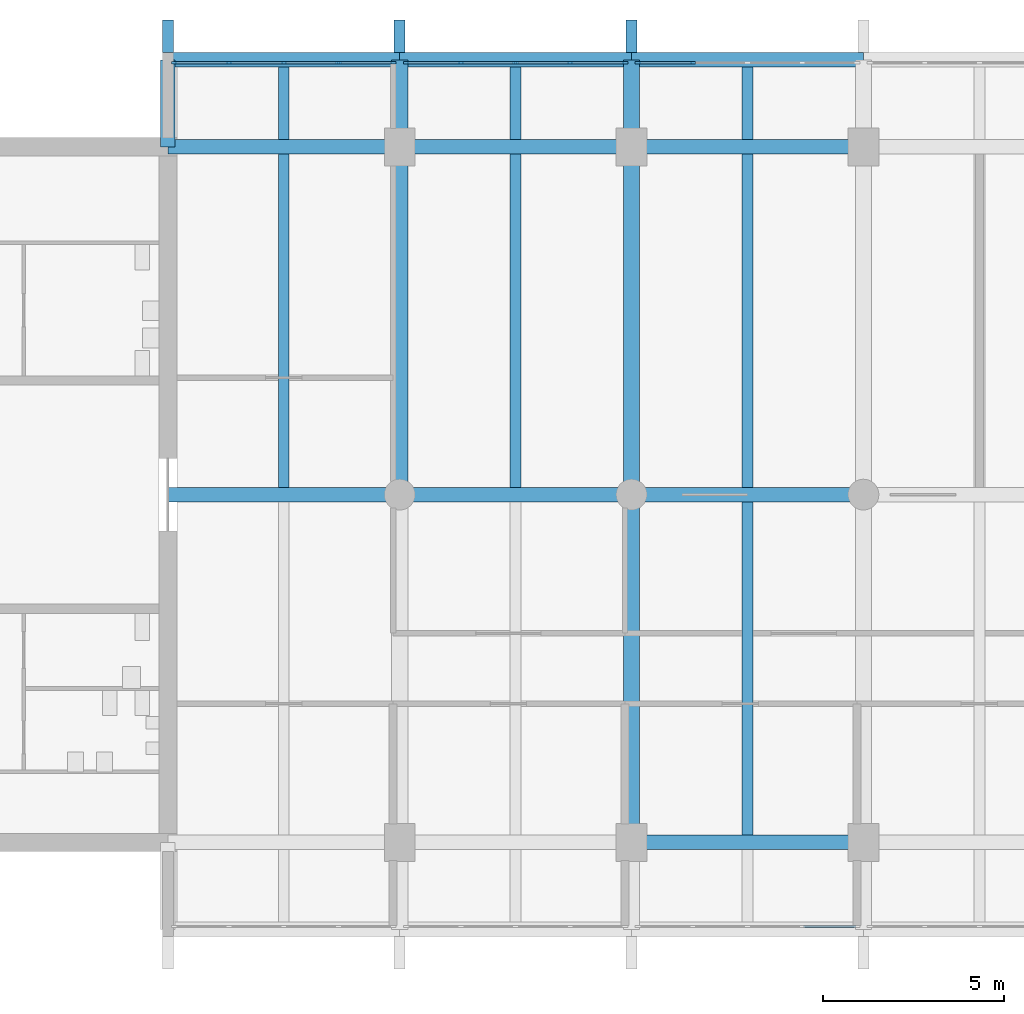
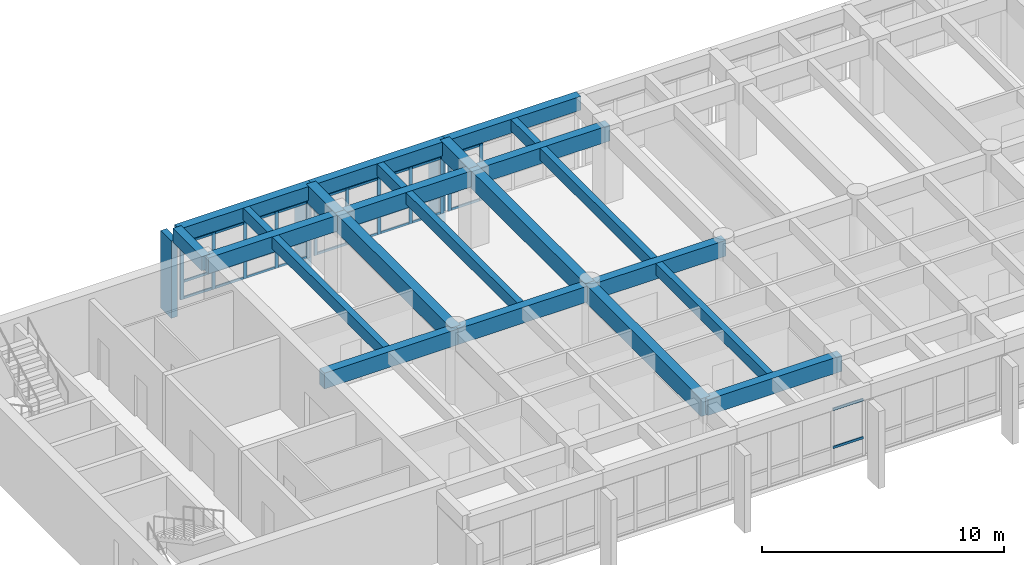
# One storey, part 3 of 15: 44 members, 23 beams, 4 elements without a shape of their own.
"""IFC4 building model written with IfcOpenShell, lengths in metres."""

from ifc_helpers import new_model, si_unit, direction, frame, origin, origin_2d, place, context, subcontext, project, spatial, rectangle, extrude, material, layer, layer_set, material_profile, profile_set, type_object, element, aggregate, save


model = new_model("IFC4")

# Units and contexts
model_context = context("Model", 3, precision=1e-05, world=origin(), true_north=direction((0.0, 1.0)))
body_context = subcontext(model_context, "Body", "Model", "MODEL_VIEW")
ifc_project = project(units=[si_unit("LENGTHUNIT", "METRE"), si_unit("AREAUNIT", "SQUARE_METRE"), si_unit("VOLUMEUNIT", "CUBIC_METRE"), si_unit("PLANEANGLEUNIT", "RADIAN"), si_unit("MASSUNIT", "GRAM", prefix="KILO")], contexts=[model_context])

# Site, building, storey
site_placement = place(None, origin())
site = spatial("IfcSite", under=ifc_project, at=site_placement, CompositionType="ELEMENT")
building_placement = place(site_placement, origin())
building = spatial("IfcBuilding", under=site, at=building_placement, Name="Fogon Plaza Fire Station and Headquarters Tower", CompositionType="ELEMENT")
storey_placement = place(building_placement, frame((0.0, 0.0, 56.10009765625)))
storey = spatial("IfcBuildingStorey", under=building, at=storey_placement, Name="L14", CompositionType="ELEMENT", Elevation=56.10009765625)

# Beams
ifc_material_1 = material(Name="Concrete C40", Category="concrete")
ifc_material_profile_1 = material_profile(ifc_material_1, rectangle(XDim=0.39990234375, YDim=0.699951171875, at=origin_2d()), Name="RC 400x700")
ifc_profile_set_1 = profile_set([ifc_material_profile_1], Name="Concrete C40")
beam_type_1 = type_object("IfcBeamType", Name="BEAM RC 400x700", PredefinedType="BEAM", material=ifc_profile_set_1)
for number, where, z_axis, x_axis, name in (
    (1, (25.60009765625, 55.199951171875, 3.329833984375), (1.0, 0.0, 0.0), (0.0, 1.0, 0.0), "beam-L14-045"),
    (2, (32.0, 55.199951171875, 3.329833984375), (1.0, 0.0, 0.0), (0.0, 1.0, 0.0), "beam-L14-046"),
):
    element("IfcBeam", number, at=place(storey_placement, frame(where, z_axis=z_axis, x_axis=x_axis)), inside=storey, type_object=beam_type_1, Name=name, PredefinedType="BEAM", context=body_context, shape_type="SweptSolid", body=[
        extrude(rectangle(XDim=0.39990234375, YDim=0.699951171875, at=origin_2d()), origin(), (0.0, 0.0, 1.0), 6.39990234375),
    ])
beam_1_placement = place(storey_placement, frame((38.39990234375, 55.199951171875, 3.329833984375), z_axis=(1.0, 0.0, 0.0), x_axis=(0.0, 1.0, 0.0)))
element("IfcBeam", 3, at=beam_1_placement, inside=storey, type_object=beam_type_1, Name="beam-L14-047", PredefinedType="BEAM", context=body_context, shape_type="SweptSolid", body=[
    extrude(rectangle(XDim=0.39990234375, YDim=0.699951171875, at=origin_2d()), origin(), (0.0, 0.0, 1.0), 6.400146484375),
])
ifc_material_2 = material(Name="Concrete C40", Category="concrete")
ifc_material_profile_2 = material_profile(ifc_material_2, rectangle(XDim=0.39990234375, YDim=0.699951171875, at=origin_2d()), Name="RC 400x700")
ifc_profile_set_2 = profile_set([ifc_material_profile_2], Name="Concrete C40")
beam_type_2 = type_object("IfcBeamType", Name="BEAM RC 400x700 SPAN 0.0 TO 3.0 M", PredefinedType="BEAM", material=ifc_profile_set_2)
beam_2_placement = place(storey_placement, frame((25.60009765625, 52.800048828125, 3.329833984375), z_axis=(0.0, 1.0, 0.0), x_axis=(-1.0, 0.0, 0.0)))
element("IfcBeam", 4, at=beam_2_placement, inside=storey, type_object=beam_type_2, Name="beam-L14-052", PredefinedType="BEAM", context=body_context, shape_type="SweptSolid", body=[
    extrude(rectangle(XDim=0.39990234375, YDim=0.699951171875, at=origin_2d()), origin(), (0.0, 0.0, 1.0), 2.39990234375),
])
ifc_material_3 = material(Name="Concrete C40", Category="concrete")
ifc_material_profile_3 = material_profile(ifc_material_3, rectangle(XDim=0.39990234375, YDim=0.800048828125, at=origin_2d()), Name="RC 400x800")
ifc_profile_set_3 = profile_set([ifc_material_profile_3], Name="Concrete C40")
beam_type_3 = type_object("IfcBeamType", Name="BEAM RC 400x800", PredefinedType="BEAM", material=ifc_profile_set_3)
beam_3_placement = place(storey_placement, frame((38.39990234375, 33.60009765625, 3.27978515625), z_axis=(1.0, 0.0, 0.0), x_axis=(0.0, 1.0, 0.0)))
element("IfcBeam", 5, at=beam_3_placement, inside=storey, type_object=beam_type_3, Name="beam-L14-023", PredefinedType="BEAM", context=body_context, shape_type="SweptSolid", body=[
    extrude(rectangle(XDim=0.39990234375, YDim=0.800048828125, at=origin_2d()), origin(), (0.0, 0.0, 1.0), 6.400146484375),
])
for number, where, z_axis, x_axis, name in (
    (6, (25.60009765625, 43.199951171875, 3.27978515625), (1.0, 0.0, 0.0), (0.0, 1.0, 0.0), "beam-L14-027"),
    (7, (32.0, 43.199951171875, 3.27978515625), (1.0, 0.0, 0.0), (0.0, 1.0, 0.0), "beam-L14-028"),
):
    element("IfcBeam", number, at=place(storey_placement, frame(where, z_axis=z_axis, x_axis=x_axis)), inside=storey, type_object=beam_type_3, Name=name, PredefinedType="BEAM", context=body_context, shape_type="SweptSolid", body=[
        extrude(rectangle(XDim=0.39990234375, YDim=0.800048828125, at=origin_2d()), origin(), (0.0, 0.0, 1.0), 6.39990234375),
    ])
beam_4_placement = place(storey_placement, frame((38.39990234375, 43.199951171875, 3.27978515625), z_axis=(1.0, 0.0, 0.0), x_axis=(0.0, 1.0, 0.0)))
element("IfcBeam", 8, at=beam_4_placement, inside=storey, type_object=beam_type_3, Name="beam-L14-029", PredefinedType="BEAM", context=body_context, shape_type="SweptSolid", body=[
    extrude(rectangle(XDim=0.39990234375, YDim=0.800048828125, at=origin_2d()), origin(), (0.0, 0.0, 1.0), 6.400146484375),
])
for number, where, z_axis, x_axis, name in (
    (9, (25.60009765625, 52.800048828125, 3.27978515625), (1.0, 0.0, 0.0), (0.0, 1.0, 0.0), "beam-L14-033"),
    (10, (32.0, 52.800048828125, 3.27978515625), (1.0, 0.0, 0.0), (0.0, 1.0, 0.0), "beam-L14-034"),
):
    element("IfcBeam", number, at=place(storey_placement, frame(where, z_axis=z_axis, x_axis=x_axis)), inside=storey, type_object=beam_type_3, Name=name, PredefinedType="BEAM", context=body_context, shape_type="SweptSolid", body=[
        extrude(rectangle(XDim=0.39990234375, YDim=0.800048828125, at=origin_2d()), origin(), (0.0, 0.0, 1.0), 6.39990234375),
    ])
beam_5_placement = place(storey_placement, frame((38.39990234375, 52.800048828125, 3.27978515625), z_axis=(1.0, 0.0, 0.0), x_axis=(0.0, 1.0, 0.0)))
element("IfcBeam", 11, at=beam_5_placement, inside=storey, type_object=beam_type_3, Name="beam-L14-035", PredefinedType="BEAM", context=body_context, shape_type="SweptSolid", body=[
    extrude(rectangle(XDim=0.39990234375, YDim=0.800048828125, at=origin_2d()), origin(), (0.0, 0.0, 1.0), 6.400146484375),
])
ifc_material_4 = material(Name="Concrete C40", Category="concrete")
ifc_material_profile_4 = material_profile(ifc_material_4, rectangle(XDim=0.449951171875, YDim=0.89990234375, at=origin_2d()), Name="RC 450x900")
ifc_profile_set_4 = profile_set([ifc_material_profile_4], Name="Concrete C40")
beam_type_4 = type_object("IfcBeamType", Name="BEAM RC 450x900", PredefinedType="BEAM", material=ifc_profile_set_4)
beam_6_placement = place(storey_placement, frame((32.0, 43.199951171875, 3.22998046875), z_axis=(0.0, 1.0, 0.0), x_axis=(-1.0, 0.0, 0.0)))
element("IfcBeam", 12, at=beam_6_placement, inside=storey, type_object=beam_type_4, Name="beam-L14-003", PredefinedType="BEAM", context=body_context, shape_type="SweptSolid", body=[
    extrude(rectangle(XDim=0.449951171875, YDim=0.89990234375, at=origin_2d()), origin(), (0.0, 0.0, 1.0), 9.60009765625),
])
beam_7_placement = place(storey_placement, frame((38.39990234375, 33.60009765625, 3.22998046875), z_axis=(0.0, 1.0, 0.0), x_axis=(-1.0, 0.0, 0.0)))
element("IfcBeam", 13, at=beam_7_placement, inside=storey, type_object=beam_type_4, Name="beam-L14-006", PredefinedType="BEAM", context=body_context, shape_type="SweptSolid", body=[
    extrude(rectangle(XDim=0.449951171875, YDim=0.89990234375, at=origin_2d()), origin(), (0.0, 0.0, 1.0), 9.599853515625),
])
beam_8_placement = place(storey_placement, frame((38.39990234375, 43.199951171875, 3.22998046875), z_axis=(0.0, 1.0, 0.0), x_axis=(-1.0, 0.0, 0.0)))
element("IfcBeam", 14, at=beam_8_placement, inside=storey, type_object=beam_type_4, Name="beam-L14-007", PredefinedType="BEAM", context=body_context, shape_type="SweptSolid", body=[
    extrude(rectangle(XDim=0.449951171875, YDim=0.89990234375, at=origin_2d()), origin(), (0.0, 0.0, 1.0), 9.60009765625),
])
ifc_material_5 = material(Name="Concrete C40", Category="concrete")
ifc_material_profile_5 = material_profile(ifc_material_5, rectangle(XDim=0.449951171875, YDim=0.89990234375, at=origin_2d()), Name="RC 450x900")
ifc_profile_set_5 = profile_set([ifc_material_profile_5], Name="Concrete C40")
beam_type_5 = type_object("IfcBeamType", Name="BEAM RC 450x900 SPAN 0.0 TO 3.0 M", PredefinedType="BEAM", material=ifc_profile_set_5)
for number, where, z_axis, x_axis, name in (
    (15, (32.0, 52.800048828125, 3.22998046875), (0.0, 1.0, 0.0), (-1.0, 0.0, 0.0), "beam-L14-004"),
    (16, (38.39990234375, 52.800048828125, 3.22998046875), (0.0, 1.0, 0.0), (-1.0, 0.0, 0.0), "beam-L14-008"),
):
    element("IfcBeam", number, at=place(storey_placement, frame(where, z_axis=z_axis, x_axis=x_axis)), inside=storey, type_object=beam_type_5, Name=name, PredefinedType="BEAM", context=body_context, shape_type="SweptSolid", body=[
        extrude(rectangle(XDim=0.449951171875, YDim=0.89990234375, at=origin_2d()), origin(), (0.0, 0.0, 1.0), 2.39990234375),
    ])

# Curtain wall, members
ifc_material_6 = material(Name="Aluminium and glass", Category="aluminium")
ifc_layer = layer(ifc_material_6, 0.14990234375)
ifc_layer_set = layer_set([ifc_layer], Name="Aluminium and glass")
curtain_wall_type = type_object("IfcCurtainWallType", Name="Unitised Curtain Wall Run 6100x2880", PredefinedType="NOTDEFINED", material=ifc_layer_set)
curtain_wall_1_placement = place(storey_placement, origin())
curtain_wall_1 = element("IfcCurtainWall", 17, at=curtain_wall_1_placement, inside=storey, type_object=curtain_wall_type, Name="CW-6100x2880 N1 L14", PredefinedType="NOTDEFINED")
ifc_material_7 = material(Name="Aluminium", Category="aluminium")
ifc_material_profile_6 = material_profile(ifc_material_7, rectangle(XDim=0.06005859375, YDim=0.159912109375, at=origin_2d()), Name="Curtain Wall Mullion 60x160")
ifc_profile_set_6 = profile_set([ifc_material_profile_6], Name="Aluminium")
member_type_1 = type_object("IfcMemberType", Name="Curtain Wall Mullion 60x160", PredefinedType="MULLION", material=ifc_profile_set_6)
member_1_placement = place(storey_placement, frame((25.780029296875, 55.1201171875, 0.0), z_axis=(0.0, 0.0, 1.0), x_axis=(0.0, 1.0, 0.0)))
member_1 = element("IfcMember", 18, at=member_1_placement, type_object=member_type_1, Name="CW-6100x2880 mullion 1", PredefinedType="MULLION", context=body_context, shape_type="SweptSolid", body=[
    extrude(rectangle(XDim=0.06005859375, YDim=0.159912109375, at=origin_2d()), origin(), (0.0, 0.0, 1.0), 2.8798828125),
])
member_2_placement = place(storey_placement, frame((27.2900390625, 55.1201171875, 0.0), z_axis=(0.0, 0.0, 1.0), x_axis=(0.0, 1.0, 0.0)))
member_2 = element("IfcMember", 19, at=member_2_placement, type_object=member_type_1, Name="CW-6100x2880 mullion 2", PredefinedType="MULLION", context=body_context, shape_type="SweptSolid", body=[
    extrude(rectangle(XDim=0.06005859375, YDim=0.159912109375, at=origin_2d()), origin(), (0.0, 0.0, 1.0), 2.8798828125),
])
member_3_placement = place(storey_placement, frame((28.800048828125, 55.1201171875, 0.0), z_axis=(0.0, 0.0, 1.0), x_axis=(0.0, 1.0, 0.0)))
member_3 = element("IfcMember", 20, at=member_3_placement, type_object=member_type_1, Name="CW-6100x2880 mullion 3", PredefinedType="MULLION", context=body_context, shape_type="SweptSolid", body=[
    extrude(rectangle(XDim=0.06005859375, YDim=0.159912109375, at=origin_2d()), origin(), (0.0, 0.0, 1.0), 2.8798828125),
])
member_4_placement = place(storey_placement, frame((30.31005859375, 55.1201171875, 0.0), z_axis=(0.0, 0.0, 1.0), x_axis=(0.0, 1.0, 0.0)))
member_4 = element("IfcMember", 21, at=member_4_placement, type_object=member_type_1, Name="CW-6100x2880 mullion 4", PredefinedType="MULLION", context=body_context, shape_type="SweptSolid", body=[
    extrude(rectangle(XDim=0.06005859375, YDim=0.159912109375, at=origin_2d()), origin(), (0.0, 0.0, 1.0), 2.8798828125),
])
member_5_placement = place(storey_placement, frame((31.820068359375, 55.1201171875, 0.0), z_axis=(0.0, 0.0, 1.0), x_axis=(0.0, 1.0, 0.0)))
member_5 = element("IfcMember", 22, at=member_5_placement, type_object=member_type_1, Name="CW-6100x2880 mullion 5", PredefinedType="MULLION", context=body_context, shape_type="SweptSolid", body=[
    extrude(rectangle(XDim=0.06005859375, YDim=0.159912109375, at=origin_2d()), origin(), (0.0, 0.0, 1.0), 2.8798828125),
])

curtain_wall_2_placement = place(storey_placement, origin())
curtain_wall_2 = element("IfcCurtainWall", 23, at=curtain_wall_2_placement, inside=storey, type_object=curtain_wall_type, Name="CW-6100x2880 N2 L14", PredefinedType="NOTDEFINED")
member_6_placement = place(storey_placement, frame((32.179931640625, 55.1201171875, 0.0), z_axis=(0.0, 0.0, 1.0), x_axis=(0.0, 1.0, 0.0)))
member_6 = element("IfcMember", 24, at=member_6_placement, type_object=member_type_1, Name="CW-6100x2880 mullion 1", PredefinedType="MULLION", context=body_context, shape_type="SweptSolid", body=[
    extrude(rectangle(XDim=0.06005859375, YDim=0.159912109375, at=origin_2d()), origin(), (0.0, 0.0, 1.0), 2.8798828125),
])
member_7_placement = place(storey_placement, frame((33.68994140625, 55.1201171875, 0.0), z_axis=(0.0, 0.0, 1.0), x_axis=(0.0, 1.0, 0.0)))
member_7 = element("IfcMember", 25, at=member_7_placement, type_object=member_type_1, Name="CW-6100x2880 mullion 2", PredefinedType="MULLION", context=body_context, shape_type="SweptSolid", body=[
    extrude(rectangle(XDim=0.06005859375, YDim=0.159912109375, at=origin_2d()), origin(), (0.0, 0.0, 1.0), 2.8798828125),
])
member_8_placement = place(storey_placement, frame((35.199951171875, 55.1201171875, 0.0), z_axis=(0.0, 0.0, 1.0), x_axis=(0.0, 1.0, 0.0)))
member_8 = element("IfcMember", 26, at=member_8_placement, type_object=member_type_1, Name="CW-6100x2880 mullion 3", PredefinedType="MULLION", context=body_context, shape_type="SweptSolid", body=[
    extrude(rectangle(XDim=0.06005859375, YDim=0.159912109375, at=origin_2d()), origin(), (0.0, 0.0, 1.0), 2.8798828125),
])
member_9_placement = place(storey_placement, frame((36.7099609375, 55.1201171875, 0.0), z_axis=(0.0, 0.0, 1.0), x_axis=(0.0, 1.0, 0.0)))
member_9 = element("IfcMember", 27, at=member_9_placement, type_object=member_type_1, Name="CW-6100x2880 mullion 4", PredefinedType="MULLION", context=body_context, shape_type="SweptSolid", body=[
    extrude(rectangle(XDim=0.06005859375, YDim=0.159912109375, at=origin_2d()), origin(), (0.0, 0.0, 1.0), 2.8798828125),
])
member_10_placement = place(storey_placement, frame((38.219970703125, 55.1201171875, 0.0), z_axis=(0.0, 0.0, 1.0), x_axis=(0.0, 1.0, 0.0)))
member_10 = element("IfcMember", 28, at=member_10_placement, type_object=member_type_1, Name="CW-6100x2880 mullion 5", PredefinedType="MULLION", context=body_context, shape_type="SweptSolid", body=[
    extrude(rectangle(XDim=0.06005859375, YDim=0.159912109375, at=origin_2d()), origin(), (0.0, 0.0, 1.0), 2.8798828125),
])

curtain_wall_3_placement = place(storey_placement, origin())
curtain_wall_3 = element("IfcCurtainWall", 29, at=curtain_wall_3_placement, inside=storey, type_object=curtain_wall_type, Name="CW-6100x2880 N3 L14", PredefinedType="NOTDEFINED")
member_11_placement = place(storey_placement, frame((38.580078125, 55.1201171875, 0.0), z_axis=(0.0, 0.0, 1.0), x_axis=(0.0, 1.0, 0.0)))
member_11 = element("IfcMember", 30, at=member_11_placement, type_object=member_type_1, Name="CW-6100x2880 mullion 1", PredefinedType="MULLION", context=body_context, shape_type="SweptSolid", body=[
    extrude(rectangle(XDim=0.06005859375, YDim=0.159912109375, at=origin_2d()), origin(), (0.0, 0.0, 1.0), 2.8798828125),
])
member_12_placement = place(storey_placement, frame((40.090087890625, 55.1201171875, 0.0), z_axis=(0.0, 0.0, 1.0), x_axis=(0.0, 1.0, 0.0)))
member_12 = element("IfcMember", 31, at=member_12_placement, type_object=member_type_1, Name="CW-6100x2880 mullion 2", PredefinedType="MULLION", context=body_context, shape_type="SweptSolid", body=[
    extrude(rectangle(XDim=0.06005859375, YDim=0.159912109375, at=origin_2d()), origin(), (0.0, 0.0, 1.0), 2.8798828125),
])

curtain_wall_4_placement = place(storey_placement, origin())
curtain_wall_4 = element("IfcCurtainWall", 32, at=curtain_wall_4_placement, inside=storey, type_object=curtain_wall_type, Name="CW-6100x2880 S3 L14", PredefinedType="NOTDEFINED")
ifc_material_8 = material(Name="Aluminium", Category="aluminium")
ifc_material_profile_7 = material_profile(ifc_material_8, rectangle(XDim=0.06005859375, YDim=0.1201171875, at=origin_2d()), Name="Curtain Wall Transom 60x120")
ifc_profile_set_7 = profile_set([ifc_material_profile_7], Name="Aluminium")
member_type_2 = type_object("IfcMemberType", Name="Curtain Wall Transom 60x120", PredefinedType="USERDEFINED", material=ifc_profile_set_7)
member_13_placement = place(storey_placement, frame((43.139892578125, 31.280029296875, 0.89990234375), z_axis=(1.0, 0.0, 0.0), x_axis=(0.0, 1.0, 0.0)))
member_13 = element("IfcMember", 33, at=member_13_placement, type_object=member_type_2, Name="CW-6100x2880 transom 4.2", ObjectType="TRANSOM", PredefinedType="USERDEFINED", context=body_context, shape_type="SweptSolid", body=[
    extrude(rectangle(XDim=0.06005859375, YDim=0.1201171875, at=origin_2d()), origin(), (0.0, 0.0, 1.0), 1.4501953125),
])
member_14_placement = place(storey_placement, frame((43.139892578125, 31.280029296875, 2.81982421875), z_axis=(1.0, 0.0, 0.0), x_axis=(0.0, 1.0, 0.0)))
member_14 = element("IfcMember", 34, at=member_14_placement, type_object=member_type_2, Name="CW-6100x2880 transom 4.3", ObjectType="TRANSOM", PredefinedType="USERDEFINED", context=body_context, shape_type="SweptSolid", body=[
    extrude(rectangle(XDim=0.06005859375, YDim=0.1201171875, at=origin_2d()), origin(), (0.0, 0.0, 1.0), 1.4501953125),
])
aggregate(curtain_wall_4, [member_13, member_14])

# Member
member_15_placement = place(storey_placement, frame((25.81005859375, 55.1201171875, 0.059814453125), z_axis=(1.0, 0.0, 0.0), x_axis=(0.0, 1.0, 0.0)))
member_15 = element("IfcMember", 35, at=member_15_placement, type_object=member_type_2, Name="CW-6100x2880 transom 1.1", ObjectType="TRANSOM", PredefinedType="USERDEFINED", context=body_context, shape_type="SweptSolid", body=[
    extrude(rectangle(XDim=0.06005859375, YDim=0.1201171875, at=origin_2d()), origin(), (0.0, 0.0, 1.0), 1.449951171875),
])

member_16_placement = place(storey_placement, frame((25.81005859375, 55.1201171875, 0.89990234375), z_axis=(1.0, 0.0, 0.0), x_axis=(0.0, 1.0, 0.0)))
member_16 = element("IfcMember", 36, at=member_16_placement, type_object=member_type_2, Name="CW-6100x2880 transom 1.2", ObjectType="TRANSOM", PredefinedType="USERDEFINED", context=body_context, shape_type="SweptSolid", body=[
    extrude(rectangle(XDim=0.06005859375, YDim=0.1201171875, at=origin_2d()), origin(), (0.0, 0.0, 1.0), 1.449951171875),
])

member_17_placement = place(storey_placement, frame((25.81005859375, 55.1201171875, 2.81982421875), z_axis=(1.0, 0.0, 0.0), x_axis=(0.0, 1.0, 0.0)))
member_17 = element("IfcMember", 37, at=member_17_placement, type_object=member_type_2, Name="CW-6100x2880 transom 1.3", ObjectType="TRANSOM", PredefinedType="USERDEFINED", context=body_context, shape_type="SweptSolid", body=[
    extrude(rectangle(XDim=0.06005859375, YDim=0.1201171875, at=origin_2d()), origin(), (0.0, 0.0, 1.0), 1.449951171875),
])

member_18_placement = place(storey_placement, frame((27.320068359375, 55.1201171875, 0.059814453125), z_axis=(1.0, 0.0, 0.0), x_axis=(0.0, 1.0, 0.0)))
member_18 = element("IfcMember", 38, at=member_18_placement, type_object=member_type_2, Name="CW-6100x2880 transom 2.1", ObjectType="TRANSOM", PredefinedType="USERDEFINED", context=body_context, shape_type="SweptSolid", body=[
    extrude(rectangle(XDim=0.06005859375, YDim=0.1201171875, at=origin_2d()), origin(), (0.0, 0.0, 1.0), 1.449951171875),
])

member_19_placement = place(storey_placement, frame((27.320068359375, 55.1201171875, 0.89990234375), z_axis=(1.0, 0.0, 0.0), x_axis=(0.0, 1.0, 0.0)))
member_19 = element("IfcMember", 39, at=member_19_placement, type_object=member_type_2, Name="CW-6100x2880 transom 2.2", ObjectType="TRANSOM", PredefinedType="USERDEFINED", context=body_context, shape_type="SweptSolid", body=[
    extrude(rectangle(XDim=0.06005859375, YDim=0.1201171875, at=origin_2d()), origin(), (0.0, 0.0, 1.0), 1.449951171875),
])

member_20_placement = place(storey_placement, frame((27.320068359375, 55.1201171875, 2.81982421875), z_axis=(1.0, 0.0, 0.0), x_axis=(0.0, 1.0, 0.0)))
member_20 = element("IfcMember", 40, at=member_20_placement, type_object=member_type_2, Name="CW-6100x2880 transom 2.3", ObjectType="TRANSOM", PredefinedType="USERDEFINED", context=body_context, shape_type="SweptSolid", body=[
    extrude(rectangle(XDim=0.06005859375, YDim=0.1201171875, at=origin_2d()), origin(), (0.0, 0.0, 1.0), 1.449951171875),
])

member_21_placement = place(storey_placement, frame((28.830078125, 55.1201171875, 0.059814453125), z_axis=(1.0, 0.0, 0.0), x_axis=(0.0, 1.0, 0.0)))
member_21 = element("IfcMember", 41, at=member_21_placement, type_object=member_type_2, Name="CW-6100x2880 transom 3.1", ObjectType="TRANSOM", PredefinedType="USERDEFINED", context=body_context, shape_type="SweptSolid", body=[
    extrude(rectangle(XDim=0.06005859375, YDim=0.1201171875, at=origin_2d()), origin(), (0.0, 0.0, 1.0), 1.449951171875),
])

member_22_placement = place(storey_placement, frame((28.830078125, 55.1201171875, 0.89990234375), z_axis=(1.0, 0.0, 0.0), x_axis=(0.0, 1.0, 0.0)))
member_22 = element("IfcMember", 42, at=member_22_placement, type_object=member_type_2, Name="CW-6100x2880 transom 3.2", ObjectType="TRANSOM", PredefinedType="USERDEFINED", context=body_context, shape_type="SweptSolid", body=[
    extrude(rectangle(XDim=0.06005859375, YDim=0.1201171875, at=origin_2d()), origin(), (0.0, 0.0, 1.0), 1.449951171875),
])

member_23_placement = place(storey_placement, frame((28.830078125, 55.1201171875, 2.81982421875), z_axis=(1.0, 0.0, 0.0), x_axis=(0.0, 1.0, 0.0)))
member_23 = element("IfcMember", 43, at=member_23_placement, type_object=member_type_2, Name="CW-6100x2880 transom 3.3", ObjectType="TRANSOM", PredefinedType="USERDEFINED", context=body_context, shape_type="SweptSolid", body=[
    extrude(rectangle(XDim=0.06005859375, YDim=0.1201171875, at=origin_2d()), origin(), (0.0, 0.0, 1.0), 1.449951171875),
])

member_24_placement = place(storey_placement, frame((30.340087890625, 55.1201171875, 0.059814453125), z_axis=(1.0, 0.0, 0.0), x_axis=(0.0, 1.0, 0.0)))
member_24 = element("IfcMember", 44, at=member_24_placement, type_object=member_type_2, Name="CW-6100x2880 transom 4.1", ObjectType="TRANSOM", PredefinedType="USERDEFINED", context=body_context, shape_type="SweptSolid", body=[
    extrude(rectangle(XDim=0.06005859375, YDim=0.1201171875, at=origin_2d()), origin(), (0.0, 0.0, 1.0), 1.449951171875),
])

member_25_placement = place(storey_placement, frame((30.340087890625, 55.1201171875, 0.89990234375), z_axis=(1.0, 0.0, 0.0), x_axis=(0.0, 1.0, 0.0)))
member_25 = element("IfcMember", 45, at=member_25_placement, type_object=member_type_2, Name="CW-6100x2880 transom 4.2", ObjectType="TRANSOM", PredefinedType="USERDEFINED", context=body_context, shape_type="SweptSolid", body=[
    extrude(rectangle(XDim=0.06005859375, YDim=0.1201171875, at=origin_2d()), origin(), (0.0, 0.0, 1.0), 1.449951171875),
])

member_26_placement = place(storey_placement, frame((30.340087890625, 55.1201171875, 2.81982421875), z_axis=(1.0, 0.0, 0.0), x_axis=(0.0, 1.0, 0.0)))
member_26 = element("IfcMember", 46, at=member_26_placement, type_object=member_type_2, Name="CW-6100x2880 transom 4.3", ObjectType="TRANSOM", PredefinedType="USERDEFINED", context=body_context, shape_type="SweptSolid", body=[
    extrude(rectangle(XDim=0.06005859375, YDim=0.1201171875, at=origin_2d()), origin(), (0.0, 0.0, 1.0), 1.449951171875),
])

aggregate(curtain_wall_1, [member_1, member_2, member_3, member_4, member_5, member_15, member_16, member_17, member_18, member_19, member_20, member_21, member_22, member_23, member_24, member_25, member_26])

member_27_placement = place(storey_placement, frame((32.2099609375, 55.1201171875, 0.059814453125), z_axis=(1.0, 0.0, 0.0), x_axis=(0.0, 1.0, 0.0)))
member_27 = element("IfcMember", 47, at=member_27_placement, type_object=member_type_2, Name="CW-6100x2880 transom 1.1", ObjectType="TRANSOM", PredefinedType="USERDEFINED", context=body_context, shape_type="SweptSolid", body=[
    extrude(rectangle(XDim=0.06005859375, YDim=0.1201171875, at=origin_2d()), origin(), (0.0, 0.0, 1.0), 1.449951171875),
])

member_28_placement = place(storey_placement, frame((32.2099609375, 55.1201171875, 0.89990234375), z_axis=(1.0, 0.0, 0.0), x_axis=(0.0, 1.0, 0.0)))
member_28 = element("IfcMember", 48, at=member_28_placement, type_object=member_type_2, Name="CW-6100x2880 transom 1.2", ObjectType="TRANSOM", PredefinedType="USERDEFINED", context=body_context, shape_type="SweptSolid", body=[
    extrude(rectangle(XDim=0.06005859375, YDim=0.1201171875, at=origin_2d()), origin(), (0.0, 0.0, 1.0), 1.449951171875),
])

member_29_placement = place(storey_placement, frame((32.2099609375, 55.1201171875, 2.81982421875), z_axis=(1.0, 0.0, 0.0), x_axis=(0.0, 1.0, 0.0)))
member_29 = element("IfcMember", 49, at=member_29_placement, type_object=member_type_2, Name="CW-6100x2880 transom 1.3", ObjectType="TRANSOM", PredefinedType="USERDEFINED", context=body_context, shape_type="SweptSolid", body=[
    extrude(rectangle(XDim=0.06005859375, YDim=0.1201171875, at=origin_2d()), origin(), (0.0, 0.0, 1.0), 1.449951171875),
])

member_30_placement = place(storey_placement, frame((33.719970703125, 55.1201171875, 0.059814453125), z_axis=(1.0, 0.0, 0.0), x_axis=(0.0, 1.0, 0.0)))
member_30 = element("IfcMember", 50, at=member_30_placement, type_object=member_type_2, Name="CW-6100x2880 transom 2.1", ObjectType="TRANSOM", PredefinedType="USERDEFINED", context=body_context, shape_type="SweptSolid", body=[
    extrude(rectangle(XDim=0.06005859375, YDim=0.1201171875, at=origin_2d()), origin(), (0.0, 0.0, 1.0), 1.449951171875),
])

member_31_placement = place(storey_placement, frame((33.719970703125, 55.1201171875, 0.89990234375), z_axis=(1.0, 0.0, 0.0), x_axis=(0.0, 1.0, 0.0)))
member_31 = element("IfcMember", 51, at=member_31_placement, type_object=member_type_2, Name="CW-6100x2880 transom 2.2", ObjectType="TRANSOM", PredefinedType="USERDEFINED", context=body_context, shape_type="SweptSolid", body=[
    extrude(rectangle(XDim=0.06005859375, YDim=0.1201171875, at=origin_2d()), origin(), (0.0, 0.0, 1.0), 1.449951171875),
])

member_32_placement = place(storey_placement, frame((33.719970703125, 55.1201171875, 2.81982421875), z_axis=(1.0, 0.0, 0.0), x_axis=(0.0, 1.0, 0.0)))
member_32 = element("IfcMember", 52, at=member_32_placement, type_object=member_type_2, Name="CW-6100x2880 transom 2.3", ObjectType="TRANSOM", PredefinedType="USERDEFINED", context=body_context, shape_type="SweptSolid", body=[
    extrude(rectangle(XDim=0.06005859375, YDim=0.1201171875, at=origin_2d()), origin(), (0.0, 0.0, 1.0), 1.449951171875),
])

member_33_placement = place(storey_placement, frame((35.22998046875, 55.1201171875, 0.059814453125), z_axis=(1.0, 0.0, 0.0), x_axis=(0.0, 1.0, 0.0)))
member_33 = element("IfcMember", 53, at=member_33_placement, type_object=member_type_2, Name="CW-6100x2880 transom 3.1", ObjectType="TRANSOM", PredefinedType="USERDEFINED", context=body_context, shape_type="SweptSolid", body=[
    extrude(rectangle(XDim=0.06005859375, YDim=0.1201171875, at=origin_2d()), origin(), (0.0, 0.0, 1.0), 1.449951171875),
])

member_34_placement = place(storey_placement, frame((35.22998046875, 55.1201171875, 0.89990234375), z_axis=(1.0, 0.0, 0.0), x_axis=(0.0, 1.0, 0.0)))
member_34 = element("IfcMember", 54, at=member_34_placement, type_object=member_type_2, Name="CW-6100x2880 transom 3.2", ObjectType="TRANSOM", PredefinedType="USERDEFINED", context=body_context, shape_type="SweptSolid", body=[
    extrude(rectangle(XDim=0.06005859375, YDim=0.1201171875, at=origin_2d()), origin(), (0.0, 0.0, 1.0), 1.449951171875),
])

member_35_placement = place(storey_placement, frame((35.22998046875, 55.1201171875, 2.81982421875), z_axis=(1.0, 0.0, 0.0), x_axis=(0.0, 1.0, 0.0)))
member_35 = element("IfcMember", 55, at=member_35_placement, type_object=member_type_2, Name="CW-6100x2880 transom 3.3", ObjectType="TRANSOM", PredefinedType="USERDEFINED", context=body_context, shape_type="SweptSolid", body=[
    extrude(rectangle(XDim=0.06005859375, YDim=0.1201171875, at=origin_2d()), origin(), (0.0, 0.0, 1.0), 1.449951171875),
])

member_36_placement = place(storey_placement, frame((36.739990234375, 55.1201171875, 0.059814453125), z_axis=(1.0, 0.0, 0.0), x_axis=(0.0, 1.0, 0.0)))
member_36 = element("IfcMember", 56, at=member_36_placement, type_object=member_type_2, Name="CW-6100x2880 transom 4.1", ObjectType="TRANSOM", PredefinedType="USERDEFINED", context=body_context, shape_type="SweptSolid", body=[
    extrude(rectangle(XDim=0.06005859375, YDim=0.1201171875, at=origin_2d()), origin(), (0.0, 0.0, 1.0), 1.449951171875),
])

member_37_placement = place(storey_placement, frame((36.739990234375, 55.1201171875, 0.89990234375), z_axis=(1.0, 0.0, 0.0), x_axis=(0.0, 1.0, 0.0)))
member_37 = element("IfcMember", 57, at=member_37_placement, type_object=member_type_2, Name="CW-6100x2880 transom 4.2", ObjectType="TRANSOM", PredefinedType="USERDEFINED", context=body_context, shape_type="SweptSolid", body=[
    extrude(rectangle(XDim=0.06005859375, YDim=0.1201171875, at=origin_2d()), origin(), (0.0, 0.0, 1.0), 1.449951171875),
])

member_38_placement = place(storey_placement, frame((36.739990234375, 55.1201171875, 2.81982421875), z_axis=(1.0, 0.0, 0.0), x_axis=(0.0, 1.0, 0.0)))
member_38 = element("IfcMember", 58, at=member_38_placement, type_object=member_type_2, Name="CW-6100x2880 transom 4.3", ObjectType="TRANSOM", PredefinedType="USERDEFINED", context=body_context, shape_type="SweptSolid", body=[
    extrude(rectangle(XDim=0.06005859375, YDim=0.1201171875, at=origin_2d()), origin(), (0.0, 0.0, 1.0), 1.449951171875),
])

aggregate(curtain_wall_2, [member_6, member_7, member_8, member_9, member_10, member_27, member_28, member_29, member_30, member_31, member_32, member_33, member_34, member_35, member_36, member_37, member_38])

member_39_placement = place(storey_placement, frame((38.610107421875, 55.1201171875, 0.059814453125), z_axis=(1.0, 0.0, 0.0), x_axis=(0.0, 1.0, 0.0)))
member_39 = element("IfcMember", 59, at=member_39_placement, type_object=member_type_2, Name="CW-6100x2880 transom 1.1", ObjectType="TRANSOM", PredefinedType="USERDEFINED", context=body_context, shape_type="SweptSolid", body=[
    extrude(rectangle(XDim=0.06005859375, YDim=0.1201171875, at=origin_2d()), origin(), (0.0, 0.0, 1.0), 1.449951171875),
])

member_40_placement = place(storey_placement, frame((38.610107421875, 55.1201171875, 0.89990234375), z_axis=(1.0, 0.0, 0.0), x_axis=(0.0, 1.0, 0.0)))
member_40 = element("IfcMember", 60, at=member_40_placement, type_object=member_type_2, Name="CW-6100x2880 transom 1.2", ObjectType="TRANSOM", PredefinedType="USERDEFINED", context=body_context, shape_type="SweptSolid", body=[
    extrude(rectangle(XDim=0.06005859375, YDim=0.1201171875, at=origin_2d()), origin(), (0.0, 0.0, 1.0), 1.449951171875),
])

member_41_placement = place(storey_placement, frame((38.610107421875, 55.1201171875, 2.81982421875), z_axis=(1.0, 0.0, 0.0), x_axis=(0.0, 1.0, 0.0)))
member_41 = element("IfcMember", 61, at=member_41_placement, type_object=member_type_2, Name="CW-6100x2880 transom 1.3", ObjectType="TRANSOM", PredefinedType="USERDEFINED", context=body_context, shape_type="SweptSolid", body=[
    extrude(rectangle(XDim=0.06005859375, YDim=0.1201171875, at=origin_2d()), origin(), (0.0, 0.0, 1.0), 1.449951171875),
])

aggregate(curtain_wall_3, [member_11, member_12, member_39, member_40, member_41])

# Beams
ifc_material_9 = material(Name="Concrete C40", Category="concrete")
ifc_material_profile_8 = material_profile(ifc_material_9, rectangle(XDim=0.300048828125, YDim=0.60009765625, at=origin_2d()), Name="RC 300x600")
ifc_profile_set_8 = profile_set([ifc_material_profile_8], Name="Concrete C40")
beam_type_6 = type_object("IfcBeamType", Name="JOIST RC 300x600", PredefinedType="JOIST", material=ifc_profile_set_8)
for number, where, z_axis, x_axis, name in (
    (62, (28.800048828125, 43.39990234375, 3.3798828125), (0.0, 1.0, 0.0), (-1.0, 0.0, 0.0), "beam-L14-057"),
    (63, (35.199951171875, 43.39990234375, 3.3798828125), (0.0, 1.0, 0.0), (-1.0, 0.0, 0.0), "beam-L14-061"),
):
    element("IfcBeam", number, at=place(storey_placement, frame(where, z_axis=z_axis, x_axis=x_axis)), inside=storey, type_object=beam_type_6, Name=name, PredefinedType="JOIST", context=body_context, shape_type="SweptSolid", body=[
        extrude(rectangle(XDim=0.300048828125, YDim=0.60009765625, at=origin_2d()), origin(), (0.0, 0.0, 1.0), 9.2001953125),
    ])
beam_9_placement = place(storey_placement, frame((41.60009765625, 33.800048828125, 3.3798828125), z_axis=(0.0, 1.0, 0.0), x_axis=(-1.0, 0.0, 0.0)))
element("IfcBeam", 64, at=beam_9_placement, inside=storey, type_object=beam_type_6, Name="beam-L14-064", PredefinedType="JOIST", context=body_context, shape_type="SweptSolid", body=[
    extrude(rectangle(XDim=0.300048828125, YDim=0.60009765625, at=origin_2d()), origin(), (0.0, 0.0, 1.0), 9.199951171875),
])
beam_10_placement = place(storey_placement, frame((41.60009765625, 43.39990234375, 3.3798828125), z_axis=(0.0, 1.0, 0.0), x_axis=(-1.0, 0.0, 0.0)))
element("IfcBeam", 65, at=beam_10_placement, inside=storey, type_object=beam_type_6, Name="beam-L14-065", PredefinedType="JOIST", context=body_context, shape_type="SweptSolid", body=[
    extrude(rectangle(XDim=0.300048828125, YDim=0.60009765625, at=origin_2d()), origin(), (0.0, 0.0, 1.0), 9.2001953125),
])
ifc_material_10 = material(Name="Concrete C40", Category="concrete")
ifc_material_profile_9 = material_profile(ifc_material_10, rectangle(XDim=0.300048828125, YDim=0.60009765625, at=origin_2d()), Name="RC 300x600")
ifc_profile_set_9 = profile_set([ifc_material_profile_9], Name="Concrete C40")
beam_type_7 = type_object("IfcBeamType", Name="JOIST RC 300x600 SPAN 0.0 TO 3.0 M", PredefinedType="JOIST", material=ifc_profile_set_9)
for number, where, z_axis, x_axis, name in (
    (66, (28.800048828125, 53.0, 3.3798828125), (0.0, 1.0, 0.0), (-1.0, 0.0, 0.0), "beam-L14-058"),
    (67, (35.199951171875, 53.0, 3.3798828125), (0.0, 1.0, 0.0), (-1.0, 0.0, 0.0), "beam-L14-062"),
    (68, (41.60009765625, 53.0, 3.3798828125), (0.0, 1.0, 0.0), (-1.0, 0.0, 0.0), "beam-L14-066"),
):
    element("IfcBeam", number, at=place(storey_placement, frame(where, z_axis=z_axis, x_axis=x_axis)), inside=storey, type_object=beam_type_7, Name=name, PredefinedType="JOIST", context=body_context, shape_type="SweptSolid", body=[
        extrude(rectangle(XDim=0.300048828125, YDim=0.60009765625, at=origin_2d()), origin(), (0.0, 0.0, 1.0), 2.0),
    ])

# Members
ifc_material_11 = material(Name="Concrete C40 precast", Category="concrete")
ifc_material_profile_10 = material_profile(ifc_material_11, rectangle(XDim=0.300048828125, YDim=0.89990234375, at=origin_2d()), Name="Precast Concrete Post 300x900")
ifc_profile_set_10 = profile_set([ifc_material_profile_10], Name="Concrete C40 precast")
member_type_3 = type_object("IfcMemberType", Name="Precast Concrete Post 300x900", PredefinedType="POST", material=ifc_profile_set_10)
for number, where, z_axis, x_axis, name in (
    (69, (25.60009765625, 55.85009765625, -1.02001953125), (0.0, 0.0, 1.0), (1.0, 0.0, 0.0), "Precast Post N L14"),
    (70, (32.0, 55.85009765625, -1.02001953125), (0.0, 0.0, 1.0), (1.0, 0.0, 0.0), "Precast Post N L14"),
    (71, (38.39990234375, 55.85009765625, -1.02001953125), (0.0, 0.0, 1.0), (1.0, 0.0, 0.0), "Precast Post N L14"),
):
    element("IfcMember", number, at=place(storey_placement, frame(where, z_axis=z_axis, x_axis=x_axis)), inside=storey, type_object=member_type_3, Name=name, PredefinedType="POST", context=body_context, shape_type="SweptSolid", body=[
        extrude(rectangle(XDim=0.300048828125, YDim=0.89990234375, at=origin_2d()), origin(), (0.0, 0.0, 1.0), 3.89990234375),
    ])

save(model, "model.ifc")
